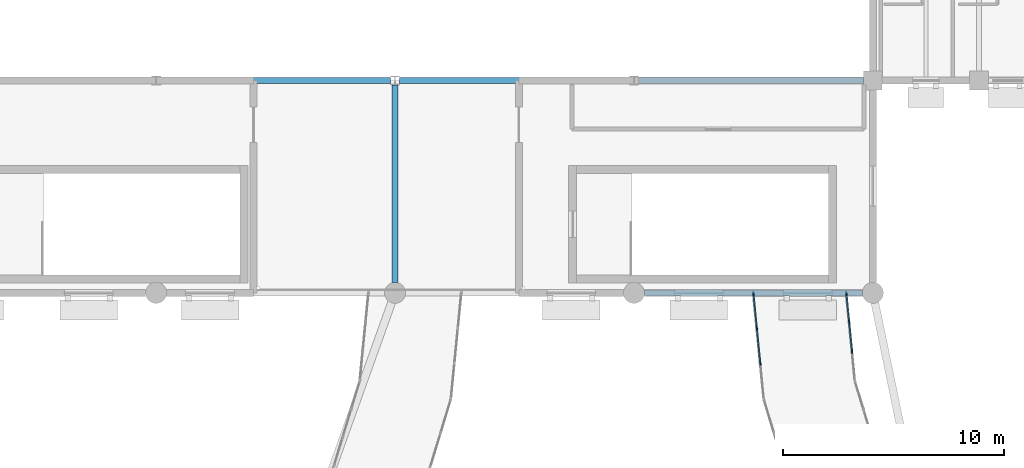
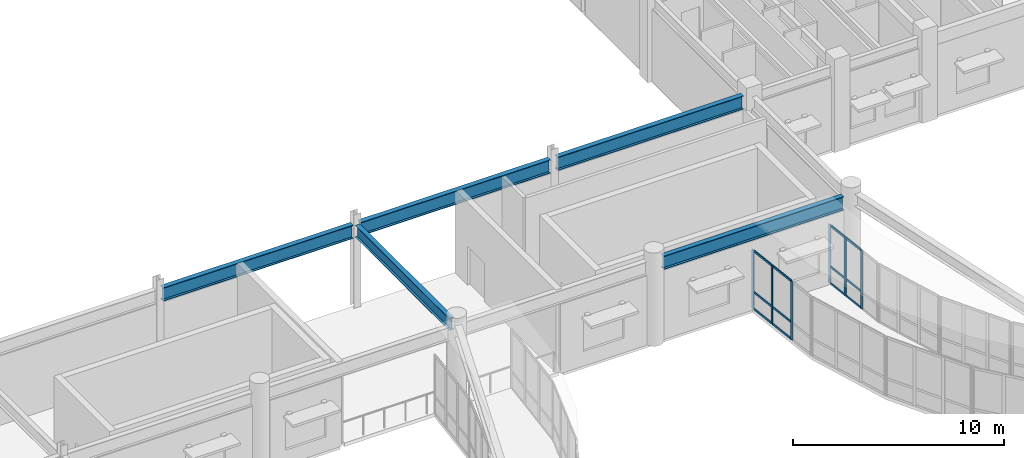
# One storey, part 27 of 68: 18 members, 5 beams, 2 elements without a shape of their own.
"""IFC4 building model written with IfcOpenShell, lengths in metres."""

from ifc_helpers import new_model, si_unit, direction, frame, origin, origin_2d, place, context, subcontext, project, spatial, rectangle, i_section, extrude, material, material_profile, profile_set, type_object, element, aggregate, save


model = new_model("IFC4")

# Units and contexts
model_context = context("Model", 3, precision=1e-05, world=origin(), true_north=direction((0.0, 1.0)))
body_context = subcontext(model_context, "Body", "Model", "MODEL_VIEW")
ifc_project = project(units=[si_unit("LENGTHUNIT", "METRE"), si_unit("AREAUNIT", "SQUARE_METRE"), si_unit("VOLUMEUNIT", "CUBIC_METRE"), si_unit("PLANEANGLEUNIT", "RADIAN"), si_unit("MASSUNIT", "GRAM", prefix="KILO")], contexts=[model_context])

# Site, building, storey
site_placement = place(None, origin())
site = spatial("IfcSite", under=ifc_project, at=site_placement, CompositionType="ELEMENT")
building_placement = place(site_placement, origin())
building = spatial("IfcBuilding", under=site, at=building_placement, Name="Veldera Park Congress Hotel", CompositionType="ELEMENT")
storey_placement = place(building_placement, frame((0.0, 0.0, 10.800048828125)))
storey = spatial("IfcBuildingStorey", under=building, at=storey_placement, Name="L02", CompositionType="ELEMENT", Elevation=10.800048828125)

# Beams
ifc_material_1 = material(Name="Steel ASTM A992 Gr.50", Category="steel")
ifc_material_profile_1 = material_profile(ifc_material_1, i_section(OverallWidth=0.256103515625, OverallDepth=0.693115234375, WebThickness=0.014404296875, FlangeThickness=0.023681640625, at=origin_2d()), Name="W27X114")
ifc_profile_set_1 = profile_set([ifc_material_profile_1], Name="Steel ASTM A992 Gr.50")
beam_type_1 = type_object("IfcBeamType", Name="BM-W27", PredefinedType="BEAM", material=ifc_profile_set_1)
beam_1_placement = place(storey_placement, frame((20.0, 17.875, 4.453369140625), z_axis=(0.0, 1.0, 0.0), x_axis=(-1.0, 0.0, 0.0)))
element("IfcBeam", 1, at=beam_1_placement, inside=storey, type_object=beam_type_1, Name="L02 Girder BM-W27 975", PredefinedType="BEAM", context=body_context, shape_type="SweptSolid", body=[
    extrude(i_section(OverallWidth=0.256103515625, OverallDepth=0.693115234375, WebThickness=0.014404296875, FlangeThickness=0.023681640625, at=origin_2d()), origin(), (0.0, 0.0, 1.0), 8.931396484375),
])
ifc_material_profile_2 = material_profile(ifc_material_1, i_section(OverallWidth=0.26708984375, OverallDepth=0.779052734375, WebThickness=0.0166015625, FlangeThickness=0.030029296875, at=origin_2d()), Name="W30X148")
ifc_profile_set_2 = profile_set([ifc_material_profile_2], Name="Steel ASTM A992 Gr.50")
beam_type_2 = type_object("IfcBeamType", Name="BM-W30", PredefinedType="BEAM", material=ifc_profile_set_2)
beam_2_placement = place(storey_placement, frame((31.27490234375, 17.39990234375, 4.410400390625), z_axis=(1.0, 0.0, 0.0), x_axis=(0.0, 1.0, 0.0)))
element("IfcBeam", 2, at=beam_2_placement, inside=storey, type_object=beam_type_2, Name="L02 Girder BM-W30 871", PredefinedType="BEAM", context=body_context, shape_type="SweptSolid", body=[
    extrude(i_section(OverallWidth=0.26708984375, OverallDepth=0.779052734375, WebThickness=0.0166015625, FlangeThickness=0.030029296875, at=origin_2d()), origin(), (0.0, 0.0, 1.0), 9.85009765625),
])
for number, where, z_axis, x_axis, name in (
    (3, (9.3984375, 27.0, 4.410400390625), (1.0, 0.0, 0.0), (0.0, 1.0, 0.0), "L02 Girder BM-W30 884"),
    (4, (20.198486328125, 27.0, 4.410400390625), (1.0, 0.0, 0.0), (0.0, 1.0, 0.0), "L02 Girder BM-W30 885"),
):
    element("IfcBeam", number, at=place(storey_placement, frame(where, z_axis=z_axis, x_axis=x_axis)), inside=storey, type_object=beam_type_2, Name=name, PredefinedType="BEAM", context=body_context, shape_type="SweptSolid", body=[
        extrude(i_section(OverallWidth=0.26708984375, OverallDepth=0.779052734375, WebThickness=0.0166015625, FlangeThickness=0.030029296875, at=origin_2d()), origin(), (0.0, 0.0, 1.0), 10.403076171875),
    ])
beam_3_placement = place(storey_placement, frame((30.99853515625, 27.0, 4.410400390625), z_axis=(1.0, 0.0, 0.0), x_axis=(0.0, 1.0, 0.0)))
element("IfcBeam", 5, at=beam_3_placement, inside=storey, type_object=beam_type_2, Name="L02 Girder BM-W30 886", PredefinedType="BEAM", context=body_context, shape_type="SweptSolid", body=[
    extrude(i_section(OverallWidth=0.26708984375, OverallDepth=0.779052734375, WebThickness=0.0166015625, FlangeThickness=0.030029296875, at=origin_2d()), origin(), (0.0, 0.0, 1.0), 10.176513671875),
])

# Curtain wall, members
ifc_material_2 = material(Name="Low-E Triple Insulating Glass Unit (SHGC 0.22)", Category="glass")
curtain_wall_type = type_object("IfcCurtainWallType", Name="CW-BRG", PredefinedType="NOTDEFINED", material=ifc_material_2)
curtain_wall_1_placement = place(storey_placement, origin())
curtain_wall_1 = element("IfcCurtainWall", 6, at=curtain_wall_1_placement, inside=storey, type_object=curtain_wall_type, Name="L02 Curtain Wall CW3-BRGE-L02-A00", PredefinedType="NOTDEFINED")
ifc_material_3 = material(Name="Anodised Aluminium Alloy 6063-T6", Category="aluminium")
ifc_material_profile_3 = material_profile(ifc_material_3, rectangle(XDim=0.06005859375, YDim=0.159912109375, at=origin_2d()), Name="ALU 60x160")
ifc_profile_set_3 = profile_set([ifc_material_profile_3], Name="Anodised Aluminium Alloy 6063-T6")
member_type_1 = type_object("IfcMemberType", Name="CWM-160", PredefinedType="MULLION", material=ifc_profile_set_3)
member_1_placement = place(storey_placement, frame((36.202880859375, 17.3701171875, 0.0), z_axis=(0.0, 0.0, 1.0), x_axis=(0.995184320963, 0.098021259481, 0.0)))
member_1 = element("IfcMember", 7, at=member_1_placement, type_object=member_type_1, Name="CW-BRG mullion 1", PredefinedType="MULLION", context=body_context, shape_type="SweptSolid", body=[
    extrude(rectangle(XDim=0.06005859375, YDim=0.159912109375, at=origin_2d()), origin(), (0.0, 0.0, 1.0), 3.39990234375),
])
member_2_placement = place(storey_placement, frame((36.357666015625, 15.80029296875, 0.0), z_axis=(0.0, 0.0, 1.0), x_axis=(0.995184320963, 0.098021259481, 0.0)))
member_2 = element("IfcMember", 8, at=member_2_placement, type_object=member_type_1, Name="CW-BRG mullion 2", PredefinedType="MULLION", context=body_context, shape_type="SweptSolid", body=[
    extrude(rectangle(XDim=0.06005859375, YDim=0.159912109375, at=origin_2d()), origin(), (0.0, 0.0, 1.0), 3.39990234375),
])
member_3_placement = place(storey_placement, frame((36.51513671875, 14.200439453125, 0.0), z_axis=(0.0, 0.0, 1.0), x_axis=(0.995184320963, 0.098021259481, 0.0)))
member_3 = element("IfcMember", 9, at=member_3_placement, type_object=member_type_1, Name="CW-BRG mullion 3", PredefinedType="MULLION", context=body_context, shape_type="SweptSolid", body=[
    extrude(rectangle(XDim=0.06005859375, YDim=0.159912109375, at=origin_2d()), origin(), (0.0, 0.0, 1.0), 3.39990234375),
])

curtain_wall_2_placement = place(storey_placement, origin())
curtain_wall_2 = element("IfcCurtainWall", 10, at=curtain_wall_2_placement, inside=storey, type_object=curtain_wall_type, Name="L02 Curtain Wall CW3-BRGE-L02-B16", PredefinedType="NOTDEFINED")
member_4_placement = place(storey_placement, frame((40.661376953125, 14.746826171875, 0.0), z_axis=(0.0, 0.0, 1.0), x_axis=(-0.99518414337, -0.098023062513, 0.0)))
member_4 = element("IfcMember", 11, at=member_4_placement, type_object=member_type_1, Name="CW-BRG mullion 2", PredefinedType="MULLION", context=body_context, shape_type="SweptSolid", body=[
    extrude(rectangle(XDim=0.06005859375, YDim=0.159912109375, at=origin_2d()), origin(), (0.0, 0.0, 1.0), 3.39990234375),
])
member_5_placement = place(storey_placement, frame((40.53076171875, 16.073486328125, 0.0), z_axis=(0.0, 0.0, 1.0), x_axis=(-0.99518414337, -0.098023062513, 0.0)))
member_5 = element("IfcMember", 12, at=member_5_placement, type_object=member_type_1, Name="CW-BRG mullion 3", PredefinedType="MULLION", context=body_context, shape_type="SweptSolid", body=[
    extrude(rectangle(XDim=0.06005859375, YDim=0.159912109375, at=origin_2d()), origin(), (0.0, 0.0, 1.0), 3.39990234375),
])
member_6_placement = place(storey_placement, frame((40.40283203125, 17.3701171875, 0.0), z_axis=(0.0, 0.0, 1.0), x_axis=(-0.99518414337, -0.098023062513, 0.0)))
member_6 = element("IfcMember", 13, at=member_6_placement, type_object=member_type_1, Name="CW-BRG mullion 4", PredefinedType="MULLION", context=body_context, shape_type="SweptSolid", body=[
    extrude(rectangle(XDim=0.06005859375, YDim=0.159912109375, at=origin_2d()), origin(), (0.0, 0.0, 1.0), 3.39990234375),
])

# Member
ifc_material_profile_4 = material_profile(ifc_material_3, rectangle(XDim=0.06005859375, YDim=0.1201171875, at=origin_2d()), Name="ALU 60x120")
ifc_profile_set_4 = profile_set([ifc_material_profile_4], Name="Anodised Aluminium Alloy 6063-T6")
member_type_2 = type_object("IfcMemberType", Name="CWT-120", PredefinedType="USERDEFINED", material=ifc_profile_set_4)
member_7_placement = place(storey_placement, frame((36.205810546875, 17.34033203125, 0.030029296875), z_axis=(0.098133797338, -0.995173230056, 0.0), x_axis=(0.995173230056, 0.098133797338, 0.0)))
member_7 = element("IfcMember", 14, at=member_7_placement, type_object=member_type_2, Name="CW-BRG transom 1.1", ObjectType="TRANSOM", PredefinedType="USERDEFINED", context=body_context, shape_type="SweptSolid", body=[
    extrude(rectangle(XDim=0.06005859375, YDim=0.1201171875, at=origin_2d()), origin(), (0.0, 0.0, 1.0), 1.517578125),
])

member_8_placement = place(storey_placement, frame((36.205810546875, 17.34033203125, 1.0), z_axis=(0.098133797338, -0.995173230056, 0.0), x_axis=(0.995173230056, 0.098133797338, 0.0)))
member_8 = element("IfcMember", 15, at=member_8_placement, type_object=member_type_2, Name="CW-BRG transom 1.2", ObjectType="TRANSOM", PredefinedType="USERDEFINED", context=body_context, shape_type="SweptSolid", body=[
    extrude(rectangle(XDim=0.06005859375, YDim=0.1201171875, at=origin_2d()), origin(), (0.0, 0.0, 1.0), 1.517578125),
])

member_9_placement = place(storey_placement, frame((36.205810546875, 17.34033203125, 3.369873046875), z_axis=(0.098133797338, -0.995173230056, 0.0), x_axis=(0.995173230056, 0.098133797338, 0.0)))
member_9 = element("IfcMember", 16, at=member_9_placement, type_object=member_type_2, Name="CW-BRG transom 1.3", ObjectType="TRANSOM", PredefinedType="USERDEFINED", context=body_context, shape_type="SweptSolid", body=[
    extrude(rectangle(XDim=0.06005859375, YDim=0.1201171875, at=origin_2d()), origin(), (0.0, 0.0, 1.0), 1.517578125),
])

member_10_placement = place(storey_placement, frame((36.360595703125, 15.7705078125, 0.030029296875), z_axis=(0.097972800666, -0.995189092751, 0.0), x_axis=(0.995189092751, 0.097972800666, 0.0)))
member_10 = element("IfcMember", 17, at=member_10_placement, type_object=member_type_2, Name="CW-BRG transom 2.1", ObjectType="TRANSOM", PredefinedType="USERDEFINED", context=body_context, shape_type="SweptSolid", body=[
    extrude(rectangle(XDim=0.06005859375, YDim=0.1201171875, at=origin_2d()), origin(), (0.0, 0.0, 1.0), 1.54736328125),
])

member_11_placement = place(storey_placement, frame((36.360595703125, 15.7705078125, 1.0), z_axis=(0.097972800666, -0.995189092751, 0.0), x_axis=(0.995189092751, 0.097972800666, 0.0)))
member_11 = element("IfcMember", 18, at=member_11_placement, type_object=member_type_2, Name="CW-BRG transom 2.2", ObjectType="TRANSOM", PredefinedType="USERDEFINED", context=body_context, shape_type="SweptSolid", body=[
    extrude(rectangle(XDim=0.06005859375, YDim=0.1201171875, at=origin_2d()), origin(), (0.0, 0.0, 1.0), 1.54736328125),
])

member_12_placement = place(storey_placement, frame((36.360595703125, 15.7705078125, 3.369873046875), z_axis=(0.097972800666, -0.995189092751, 0.0), x_axis=(0.995189092751, 0.097972800666, 0.0)))
member_12 = element("IfcMember", 19, at=member_12_placement, type_object=member_type_2, Name="CW-BRG transom 2.3", ObjectType="TRANSOM", PredefinedType="USERDEFINED", context=body_context, shape_type="SweptSolid", body=[
    extrude(rectangle(XDim=0.06005859375, YDim=0.1201171875, at=origin_2d()), origin(), (0.0, 0.0, 1.0), 1.54736328125),
])

aggregate(curtain_wall_1, [member_1, member_2, member_3, member_7, member_8, member_9, member_10, member_11, member_12])

member_13_placement = place(storey_placement, frame((40.658447265625, 14.776611328125, 0.030029296875), z_axis=(-0.098003484786, 0.995186071531, 0.0), x_axis=(-0.995186071531, -0.098003484786, 0.0)))
member_13 = element("IfcMember", 20, at=member_13_placement, type_object=member_type_2, Name="CW-BRG transom 2.1", ObjectType="TRANSOM", PredefinedType="USERDEFINED", context=body_context, shape_type="SweptSolid", body=[
    extrude(rectangle(XDim=0.06005859375, YDim=0.1201171875, at=origin_2d()), origin(), (0.0, 0.0, 1.0), 1.27294921875),
])

member_14_placement = place(storey_placement, frame((40.658447265625, 14.776611328125, 1.0), z_axis=(-0.098003484786, 0.995186071531, 0.0), x_axis=(-0.995186071531, -0.098003484786, 0.0)))
member_14 = element("IfcMember", 21, at=member_14_placement, type_object=member_type_2, Name="CW-BRG transom 2.2", ObjectType="TRANSOM", PredefinedType="USERDEFINED", context=body_context, shape_type="SweptSolid", body=[
    extrude(rectangle(XDim=0.06005859375, YDim=0.1201171875, at=origin_2d()), origin(), (0.0, 0.0, 1.0), 1.27294921875),
])

member_15_placement = place(storey_placement, frame((40.658447265625, 14.776611328125, 3.369873046875), z_axis=(-0.098003484786, 0.995186071531, 0.0), x_axis=(-0.995186071531, -0.098003484786, 0.0)))
member_15 = element("IfcMember", 22, at=member_15_placement, type_object=member_type_2, Name="CW-BRG transom 2.3", ObjectType="TRANSOM", PredefinedType="USERDEFINED", context=body_context, shape_type="SweptSolid", body=[
    extrude(rectangle(XDim=0.06005859375, YDim=0.1201171875, at=origin_2d()), origin(), (0.0, 0.0, 1.0), 1.27294921875),
])

member_16_placement = place(storey_placement, frame((40.52783203125, 16.103271484375, 0.030029296875), z_axis=(-0.098200771998, 0.995166623425, 0.0), x_axis=(-0.995166623425, -0.098200771998, 0.0)))
member_16 = element("IfcMember", 23, at=member_16_placement, type_object=member_type_2, Name="CW-BRG transom 3.1", ObjectType="TRANSOM", PredefinedType="USERDEFINED", context=body_context, shape_type="SweptSolid", body=[
    extrude(rectangle(XDim=0.06005859375, YDim=0.1201171875, at=origin_2d()), origin(), (0.0, 0.0, 1.0), 1.2431640625),
])

member_17_placement = place(storey_placement, frame((40.52783203125, 16.103271484375, 1.0), z_axis=(-0.098200771998, 0.995166623425, 0.0), x_axis=(-0.995166623425, -0.098200771998, 0.0)))
member_17 = element("IfcMember", 24, at=member_17_placement, type_object=member_type_2, Name="CW-BRG transom 3.2", ObjectType="TRANSOM", PredefinedType="USERDEFINED", context=body_context, shape_type="SweptSolid", body=[
    extrude(rectangle(XDim=0.06005859375, YDim=0.1201171875, at=origin_2d()), origin(), (0.0, 0.0, 1.0), 1.2431640625),
])

member_18_placement = place(storey_placement, frame((40.52783203125, 16.103271484375, 3.369873046875), z_axis=(-0.098200771998, 0.995166623425, 0.0), x_axis=(-0.995166623425, -0.098200771998, 0.0)))
member_18 = element("IfcMember", 25, at=member_18_placement, type_object=member_type_2, Name="CW-BRG transom 3.3", ObjectType="TRANSOM", PredefinedType="USERDEFINED", context=body_context, shape_type="SweptSolid", body=[
    extrude(rectangle(XDim=0.06005859375, YDim=0.1201171875, at=origin_2d()), origin(), (0.0, 0.0, 1.0), 1.2431640625),
])

aggregate(curtain_wall_2, [member_4, member_5, member_6, member_13, member_14, member_15, member_16, member_17, member_18])

save(model, "model.ifc")
